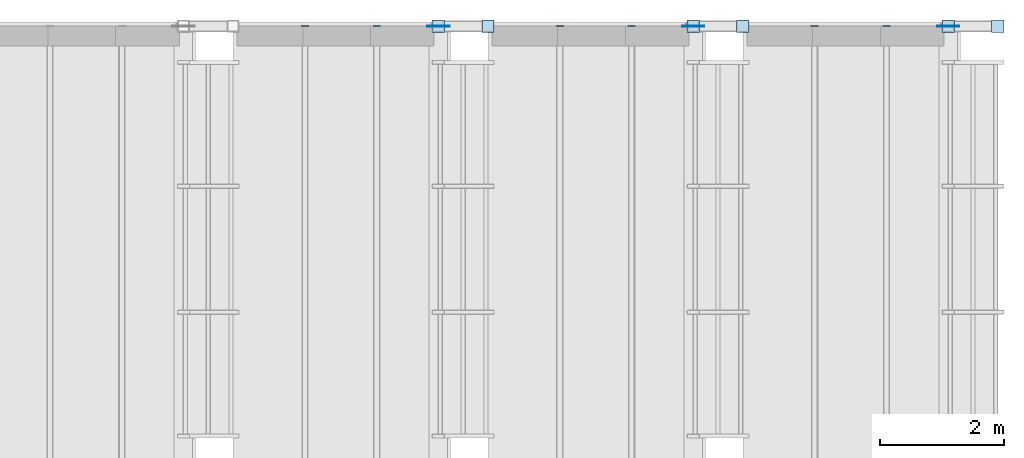
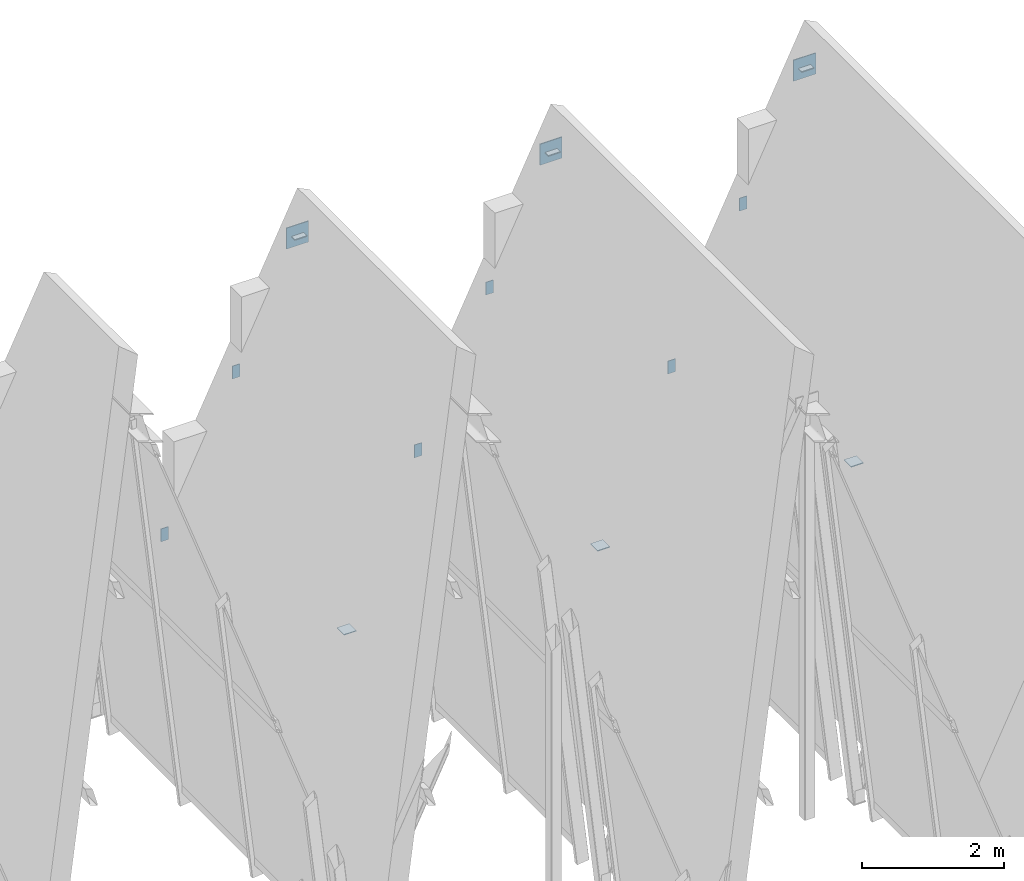
# One storey, part 27 of 28: 15 plates.
"""IFC4 building model written with IfcOpenShell, lengths in metres."""

from ifc_helpers import new_model, si_unit, direction, frame, origin, origin_2d, place, context, subcontext, project, spatial, rectangle, extrude, material, layer, layer_set, type_object, element, save


model = new_model("IFC4")

# Units and contexts
model_context = context("Model", 3, precision=1e-05, world=origin(), true_north=direction((0.0, 1.0)))
body_context = subcontext(model_context, "Body", "Model", "MODEL_VIEW")
ifc_project = project(units=[si_unit("LENGTHUNIT", "METRE"), si_unit("AREAUNIT", "SQUARE_METRE"), si_unit("VOLUMEUNIT", "CUBIC_METRE"), si_unit("PLANEANGLEUNIT", "RADIAN"), si_unit("MASSUNIT", "GRAM", prefix="KILO")], contexts=[model_context])

# Site, building, storey
site_placement = place(None, origin())
site = spatial("IfcSite", under=ifc_project, at=site_placement, CompositionType="ELEMENT")
building_placement = place(site_placement, origin())
building = spatial("IfcBuilding", under=site, at=building_placement, Name="Bramveld Media Centre", CompositionType="ELEMENT")
storey_placement = place(building_placement, frame((0.0, 0.0, 33.89990234375)))
storey = spatial("IfcBuildingStorey", under=building, at=storey_placement, Name="ROOF", CompositionType="ELEMENT", Elevation=33.89990234375)

# Plates
ifc_material_1 = material(Name="Steel S355J2", Category="steel")
ifc_layer_1 = layer(ifc_material_1, 0.010009765625)
ifc_layer_set_1 = layer_set([ifc_layer_1], Name="Steel S355J2")
plate_type_1 = type_object("IfcPlateType", Name="PLT-CAP-10", PredefinedType="USERDEFINED", material=ifc_layer_set_1)
for number, where, z_axis, x_axis, name in (
    (1, (148.817138671875, 112.0, 2.61083984375), (0.0, 1.0, 0.0), (-1.0, 0.0, 0.0), "Hollow section end cap plate CAP-CPURL-B05-35-N"),
    (2, (149.97705078125, 112.0, 4.997802734375), (0.0, 1.0, 0.0), (-1.0, 0.0, 0.0), "Hollow section end cap plate CAP-CPURL-B05-70-N"),
    (3, (152.931396484375, 112.0, 2.61083984375), (0.0, 1.0, 0.0), (-1.0, 0.0, 0.0), "Hollow section end cap plate CAP-CPURL-B06-35-N"),
    (4, (154.09130859375, 112.0, 4.997802734375), (0.0, 1.0, 0.0), (-1.0, 0.0, 0.0), "Hollow section end cap plate CAP-CPURL-B06-70-N"),
    (5, (157.045654296875, 112.0, 2.61083984375), (0.0, 1.0, 0.0), (-1.0, 0.0, 0.0), "Hollow section end cap plate CAP-CPURL-B07-35-N"),
    (6, (158.205810546875, 112.0, 4.997802734375), (0.0, 1.0, 0.0), (-1.0, 0.0, 0.0), "Hollow section end cap plate CAP-CPURL-B07-70-N"),
):
    element("IfcPlate", number, at=place(storey_placement, frame(where, z_axis=z_axis, x_axis=x_axis)), inside=storey, type_object=plate_type_1, Name=name, ObjectType="CAP PLATE", PredefinedType="USERDEFINED", context=body_context, shape_type="SweptSolid", body=[
        extrude(rectangle(XDim=0.1201171875, YDim=0.219970703125, at=origin_2d()), origin(), (0.0, 0.0, 1.0), 0.010009765625),
    ])
ifc_material_2 = material(Name="Steel S355J2", Category="steel")
ifc_layer_2 = layer(ifc_material_2, 0.013916015625)
ifc_layer_set_2 = layer_set([ifc_layer_2], Name="Steel S355J2")
plate_type_2 = type_object("IfcPlateType", Name="PLT-CAP-14", PredefinedType="USERDEFINED", material=ifc_layer_set_2)
for number, where, z_axis, x_axis, name in (
    (7, (150.970703125, 112.0, 6.99462890625), (0.0, 0.0, 1.0), (1.0, 0.0, 0.0), "Hollow section end cap plate CAP-CRN-FR-B05-F5"),
    (8, (151.772216796875, 112.0, -0.0498046875), (0.0, 0.0, -1.0), (1.0, 0.0, 0.0), "Hollow section end cap plate CAP-CRN-FR-B05-F5-R"),
    (9, (155.0849609375, 112.0, 6.99462890625), (0.0, 0.0, 1.0), (1.0, 0.0, 0.0), "Hollow section end cap plate CAP-CRN-FR-B06-F5"),
    (10, (155.886474609375, 112.0, -0.0498046875), (0.0, 0.0, -1.0), (1.0, 0.0, 0.0), "Hollow section end cap plate CAP-CRN-FR-B06-F5-R"),
    (11, (159.19921875, 112.0, 6.99462890625), (0.0, 0.0, 1.0), (1.0, 0.0, 0.0), "Hollow section end cap plate CAP-CRN-FR-B07-F5"),
    (12, (160.000732421875, 112.0, -0.0498046875), (0.0, 0.0, -1.0), (1.0, 0.0, 0.0), "Hollow section end cap plate CAP-CRN-FR-B07-F5-R"),
):
    element("IfcPlate", number, at=place(storey_placement, frame(where, z_axis=z_axis, x_axis=x_axis)), inside=storey, type_object=plate_type_2, Name=name, ObjectType="CAP PLATE", PredefinedType="USERDEFINED", context=body_context, shape_type="SweptSolid", body=[
        extrude(rectangle(XDim=0.199951171875, YDim=0.199951171875, at=origin_2d()), origin(), (0.0, 0.0, 1.0), 0.013916015625),
    ])
ifc_material_3 = material(Name="Steel S355J2", Category="steel")
ifc_layer_3 = layer(ifc_material_3, 0.01611328125)
ifc_layer_set_3 = layer_set([ifc_layer_3], Name="Steel S355J2")
plate_type_3 = type_object("IfcPlateType", Name="PLT-GUSSET-CRN16", PredefinedType="USERDEFINED", material=ifc_layer_set_3)
for number, where, z_axis, x_axis, name in (
    (13, (150.971435546875, 112.0, 6.81494140625), (0.0, 0.0, 1.0), (1.0, 0.0, 0.0), "CRN-FR-B05-F5 ridge gusset plate"),
    (14, (155.085693359375, 112.0, 6.81494140625), (0.0, 0.0, 1.0), (1.0, 0.0, 0.0), "CRN-FR-B06-F5 ridge gusset plate"),
    (15, (159.199951171875, 112.0, 6.81494140625), (0.0, 0.0, 1.0), (1.0, 0.0, 0.0), "CRN-FR-B07-F5 ridge gusset plate"),
):
    element("IfcPlate", number, at=place(storey_placement, frame(where, z_axis=z_axis, x_axis=x_axis)), inside=storey, type_object=plate_type_3, Name=name, ObjectType="GUSSET PLATE", PredefinedType="USERDEFINED", context=body_context, shape_type="SweptSolid", body=[
        extrude(rectangle(XDim=0.360107421875, YDim=0.01611328125, at=origin_2d()), origin(), (0.0, 0.0, 1.0), 0.360107421875),
    ])

save(model, "model.ifc")
